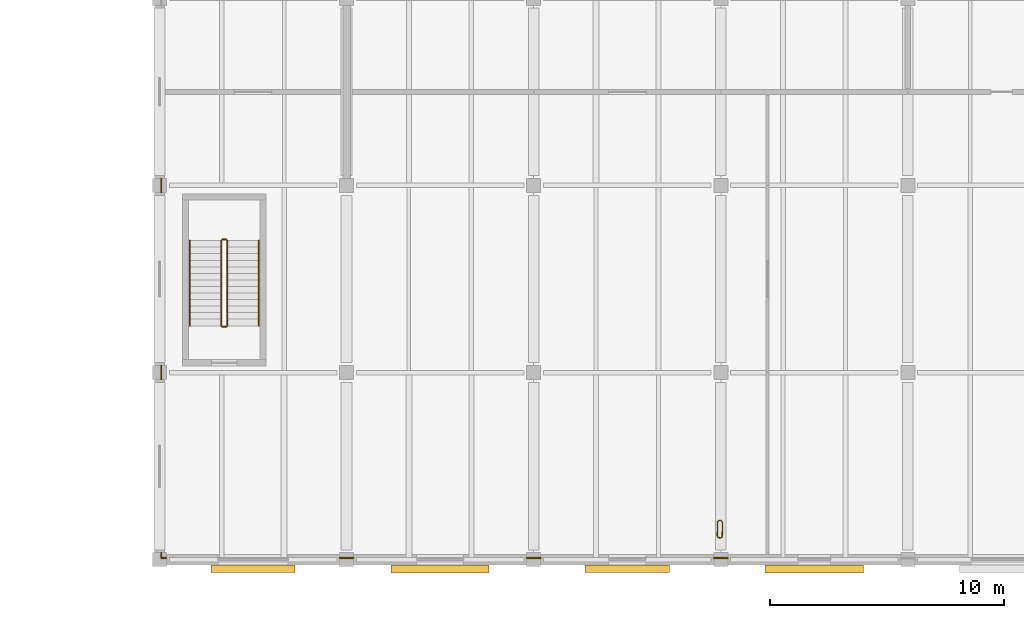
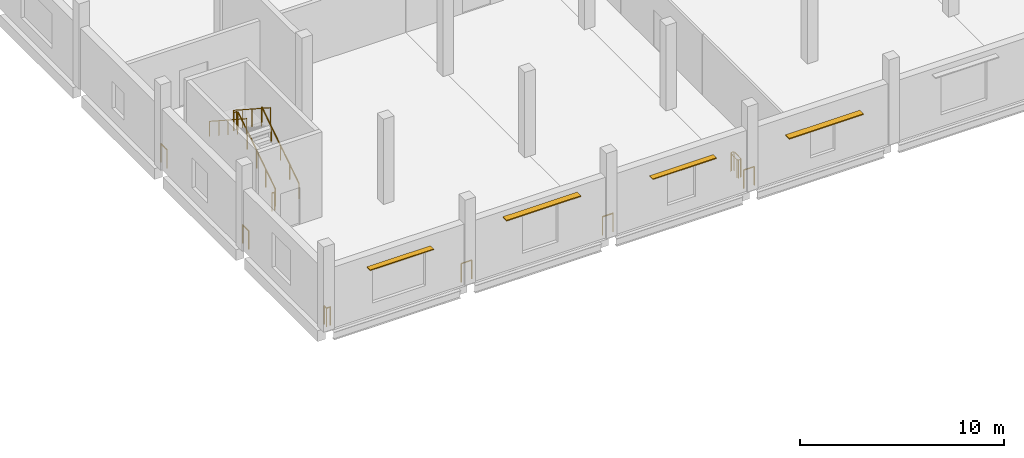
# One storey, part 57 of 61: 14 railings, 4 shading devices.
"""IFC4 building model written with IfcOpenShell, lengths in metres."""

from ifc_helpers import new_model, si_unit, direction, frame, origin, origin_2d, place, context, subcontext, project, spatial, rectangle, circle, extrude, material, type_object, element, save


model = new_model("IFC4")

# Units and contexts
model_context = context("Model", 3, precision=1e-05, world=origin(), true_north=direction((0.0, 1.0)))
body_context = subcontext(model_context, "Body", "Model", "MODEL_VIEW")
ifc_project = project(units=[si_unit("LENGTHUNIT", "METRE"), si_unit("AREAUNIT", "SQUARE_METRE"), si_unit("VOLUMEUNIT", "CUBIC_METRE"), si_unit("PLANEANGLEUNIT", "RADIAN"), si_unit("MASSUNIT", "GRAM", prefix="KILO")], contexts=[model_context])

# Site, building, storey
site_placement = place(None, origin())
site = spatial("IfcSite", under=ifc_project, at=site_placement, CompositionType="ELEMENT")
building_placement = place(site_placement, origin())
building = spatial("IfcBuilding", under=site, at=building_placement, Name="Pecanmere Concourse Central Library", CompositionType="ELEMENT")
storey_placement = place(building_placement, frame((0.0, 0.0, 5.39990234375)))
storey = spatial("IfcBuildingStorey", under=building, at=storey_placement, Name="L02", CompositionType="ELEMENT", Elevation=5.39990234375)

# Railings
ifc_material_1 = material(Name="Architectural anodized bronze")
railing_type_1 = type_object("IfcRailingType", Name="RAIL_ATRIUM_BAL", PredefinedType="BALUSTRADE", material=ifc_material_1)
railing_1_placement = place(storey_placement, frame((128.070068359375, 0.070068359375, 0.0)))
element("IfcRailing", 1, at=railing_1_placement, inside=storey, type_object=railing_type_1, Name="Deck Edge Protective Balustrade L02-018", PredefinedType="BALUSTRADE", context=body_context, shape_type="SweptSolid", body=[
    extrude(circle(Radius=0.02392578125, at=origin_2d()), frame((0.0, 0.0, 1.09619140625), z_axis=(0.0, 1.0, 0.0), x_axis=(-1.0, 0.0, 0.0)), (0.0, 0.0, 1.0), 0.224853515625),
    extrude(circle(Radius=0.02099609375, at=origin_2d()), origin(), (0.0, 0.0, 1.0), 1.072021484375),
    extrude(circle(Radius=0.02099609375, at=origin_2d()), frame((0.0, 0.224853515625, 0.0)), (0.0, 0.0, 1.0), 1.072021484375),
])
for number, where, name in (
    (2, (128.070068359375, 7.705078125, 0.0), "Deck Edge Protective Balustrade L02-019"),
    (3, (128.070068359375, 15.705078125, 0.0), "Deck Edge Protective Balustrade L02-020"),
):
    element("IfcRailing", number, at=place(storey_placement, frame(where)), inside=storey, type_object=railing_type_1, Name=name, PredefinedType="BALUSTRADE", context=body_context, shape_type="SweptSolid", body=[
        extrude(circle(Radius=0.02392578125, at=origin_2d()), frame((0.0, 0.0, 1.09619140625), z_axis=(0.0, 1.0, 0.0), x_axis=(-1.0, 0.0, 0.0)), (0.0, 0.0, 1.0), 0.58984375),
        extrude(circle(Radius=0.02099609375, at=origin_2d()), origin(), (0.0, 0.0, 1.0), 1.072021484375),
        extrude(circle(Radius=0.02099609375, at=origin_2d()), frame((0.0, 0.58984375, 0.0)), (0.0, 0.0, 1.0), 1.072021484375),
    ])
for number, where, name in (
    (4, (152.294921875, 0.070068359375, 0.0), "Deck Edge Protective Balustrade L02-035"),
    (5, (144.294921875, 0.070068359375, 0.0), "Deck Edge Protective Balustrade L02-036"),
    (6, (136.294921875, 0.070068359375, 0.0), "Deck Edge Protective Balustrade L02-037"),
):
    element("IfcRailing", number, at=place(storey_placement, frame(where)), inside=storey, type_object=railing_type_1, Name=name, PredefinedType="BALUSTRADE", context=body_context, shape_type="SweptSolid", body=[
        extrude(circle(Radius=0.02392578125, at=origin_2d()), frame((0.0, 0.0, 1.09619140625), z_axis=(-1.0, 0.0, 0.0), x_axis=(0.0, -1.0, 0.0)), (0.0, 0.0, 1.0), 0.58984375),
        extrude(circle(Radius=0.02099609375, at=origin_2d()), origin(), (0.0, 0.0, 1.0), 1.072021484375),
        extrude(circle(Radius=0.02099609375, at=origin_2d()), frame((-0.58984375, 0.0, 0.0)), (0.0, 0.0, 1.0), 1.072021484375),
    ])
railing_2_placement = place(storey_placement, frame((128.294921875, 0.070068359375, 0.0)))
element("IfcRailing", 7, at=railing_2_placement, inside=storey, type_object=railing_type_1, Name="Deck Edge Protective Balustrade L02-038", PredefinedType="BALUSTRADE", context=body_context, shape_type="SweptSolid", body=[
    extrude(circle(Radius=0.02392578125, at=origin_2d()), frame((0.0, 0.0, 1.09619140625), z_axis=(-1.0, 0.0, 0.0), x_axis=(0.0, -1.0, 0.0)), (0.0, 0.0, 1.0), 0.224853515625),
    extrude(circle(Radius=0.02099609375, at=origin_2d()), origin(), (0.0, 0.0, 1.0), 1.072021484375),
    extrude(circle(Radius=0.02099609375, at=origin_2d()), frame((-0.224853515625, 0.0, 0.0)), (0.0, 0.0, 1.0), 1.072021484375),
])
railing_3_placement = place(storey_placement, frame((151.996826171875, 0.930419921875, 0.0)))
element("IfcRailing", 8, at=railing_3_placement, inside=storey, type_object=railing_type_1, Name="Deck Edge Protective Balustrade L02-040", PredefinedType="BALUSTRADE", context=body_context, shape_type="SweptSolid", body=[
    extrude(circle(Radius=0.02392578125, at=origin_2d()), frame((0.0, 0.0, 1.09619140625), z_axis=(0.806311430369, 0.591491231767, 0.0), x_axis=(-0.591491231767, 0.806311430369, 0.0)), (0.0, 0.0, 1.0), 0.0830078125),
    extrude(circle(Radius=0.02392578125, at=origin_2d()), frame((0.06689453125, 0.049072265625, 1.09619140625), z_axis=(0.009489489668, 0.999954973779, 0.0), x_axis=(-0.999954973779, 0.009489489668, 0.0)), (0.0, 0.0, 1.0), 0.617431640625),
    extrude(circle(Radius=0.02392578125, at=origin_2d()), frame((0.07275390625, 0.66650390625, 1.09619140625), z_axis=(-0.591491231767, 0.806311430369, 0.0), x_axis=(-0.806311430369, -0.591491231767, 0.0)), (0.0, 0.0, 1.0), 0.0830078125),
    extrude(circle(Radius=0.02392578125, at=origin_2d()), frame((0.023681640625, 0.7333984375, 1.09619140625), z_axis=(-0.998195860289, 0.060041856258, 0.0), x_axis=(-0.060041856258, -0.998195860289, 0.0)), (0.0, 0.0, 1.0), 0.09765625),
    extrude(circle(Radius=0.02392578125, at=origin_2d()), frame((-0.07373046875, 0.7392578125, 1.09619140625), z_axis=(-0.806311430369, -0.591491231767, 0.0), x_axis=(0.591491231767, -0.806311430369, 0.0)), (0.0, 0.0, 1.0), 0.0830078125),
    extrude(circle(Radius=0.02392578125, at=origin_2d()), frame((-0.140625, 0.690185546875, 1.09619140625), z_axis=(-0.009489489668, -0.999954973779, 0.0), x_axis=(0.999954973779, -0.009489489668, 0.0)), (0.0, 0.0, 1.0), 0.617431640625),
    extrude(circle(Radius=0.02392578125, at=origin_2d()), frame((-0.146484375, 0.07275390625, 1.09619140625), z_axis=(0.591491231767, -0.806311430369, 0.0), x_axis=(0.806311430369, 0.591491231767, 0.0)), (0.0, 0.0, 1.0), 0.0830078125),
    extrude(circle(Radius=0.02392578125, at=origin_2d()), frame((-0.097412109375, 0.005859375, 1.09619140625), z_axis=(0.998195860289, -0.060041856258, 0.0), x_axis=(0.060041856258, 0.998195860289, 0.0)), (0.0, 0.0, 1.0), 0.09765625),
    extrude(circle(Radius=0.02099609375, at=origin_2d()), origin(), (0.0, 0.0, 1.0), 1.072021484375),
    extrude(circle(Radius=0.02099609375, at=origin_2d()), frame((0.06689453125, 0.049072265625, 0.0)), (0.0, 0.0, 1.0), 1.072021484375),
    extrude(circle(Radius=0.02099609375, at=origin_2d()), frame((0.07275390625, 0.66650390625, 0.0)), (0.0, 0.0, 1.0), 1.072021484375),
    extrude(circle(Radius=0.02099609375, at=origin_2d()), frame((0.023681640625, 0.7333984375, 0.0)), (0.0, 0.0, 1.0), 1.072021484375),
    extrude(circle(Radius=0.02099609375, at=origin_2d()), frame((-0.07373046875, 0.7392578125, 0.0)), (0.0, 0.0, 1.0), 1.072021484375),
    extrude(circle(Radius=0.02099609375, at=origin_2d()), frame((-0.140625, 0.690185546875, 0.0)), (0.0, 0.0, 1.0), 1.072021484375),
    extrude(circle(Radius=0.02099609375, at=origin_2d()), frame((-0.146484375, 0.07275390625, 0.0)), (0.0, 0.0, 1.0), 1.072021484375),
    extrude(circle(Radius=0.02099609375, at=origin_2d()), frame((-0.097412109375, 0.005859375, 0.0)), (0.0, 0.0, 1.0), 1.072021484375),
])
ifc_material_2 = material(Name="Painted architectural steel ASTM A36", Category="steel")
railing_type_2 = type_object("IfcRailingType", Name="RAIL_STAIR_GUARD", PredefinedType="GUARDRAIL", material=ifc_material_2)
railing_4_placement = place(storey_placement, frame((130.89990234375, 10.0, 0.18212890625)))
element("IfcRailing", 9, at=railing_4_placement, inside=storey, type_object=railing_type_2, Name="L02 ST-08 Guard 1", PredefinedType="GUARDRAIL", context=body_context, shape_type="SweptSolid", body=[
    extrude(circle(Radius=0.02392578125, at=origin_2d()), frame((0.0, 0.0, 1.076171875), z_axis=(0.0, 0.838234174257, 0.545310433706), x_axis=(-1.0, 0.0, 0.0)), (0.0, 0.0, 1.0), 4.34228515625),
    extrude(circle(Radius=0.02099609375, at=origin_2d()), origin(), (0.0, 0.0, 1.0), 1.052001953125),
    extrude(circle(Radius=0.02099609375, at=origin_2d()), frame((0.0, 0.909912109375, 0.592041015625)), (0.0, 0.0, 1.0), 1.052001953125),
    extrude(circle(Radius=0.02099609375, at=origin_2d()), frame((0.0, 1.81982421875, 1.18408203125)), (0.0, 0.0, 1.0), 1.052001953125),
    extrude(circle(Radius=0.02099609375, at=origin_2d()), frame((0.0, 2.72998046875, 1.77587890625)), (0.0, 0.0, 1.0), 1.052001953125),
    extrude(circle(Radius=0.02099609375, at=origin_2d()), frame((0.0, 3.639892578125, 2.367919921875)), (0.0, 0.0, 1.0), 1.052001953125),
])
railing_5_placement = place(storey_placement, frame((130.85009765625, 13.68994140625, 2.550048828125)))
element("IfcRailing", 10, at=railing_5_placement, inside=storey, type_object=railing_type_2, Name="L02 ST-08 Guard 2", PredefinedType="GUARDRAIL", context=body_context, shape_type="SweptSolid", body=[
    extrude(circle(Radius=0.02392578125, at=origin_2d()), frame((0.0, 0.0, 1.076171875), z_axis=(-1.0, 0.0, 0.0), x_axis=(0.0, -1.0, 0.0)), (0.0, 0.0, 1.0), 0.16015625),
    extrude(circle(Radius=0.02099609375, at=origin_2d()), origin(), (0.0, 0.0, 1.0), 1.052001953125),
    extrude(circle(Radius=0.02099609375, at=origin_2d()), frame((-0.16015625, 0.0, 0.0)), (0.0, 0.0, 1.0), 1.052001953125),
])
railing_6_placement = place(storey_placement, frame((130.639892578125, 13.639892578125, 2.732177734375)))
element("IfcRailing", 11, at=railing_6_placement, inside=storey, type_object=railing_type_2, Name="L02 ST-08 Guard 3", PredefinedType="GUARDRAIL", context=body_context, shape_type="SweptSolid", body=[
    extrude(circle(Radius=0.02392578125, at=origin_2d()), frame((0.0, 0.0, 1.076171875), z_axis=(0.0, -0.838234174257, 0.545310433706), x_axis=(1.0, 0.0, 0.0)), (0.0, 0.0, 1.0), 4.34228515625),
    extrude(circle(Radius=0.02099609375, at=origin_2d()), origin(), (0.0, 0.0, 1.0), 1.052001953125),
    extrude(circle(Radius=0.02099609375, at=origin_2d()), frame((0.0, -0.909912109375, 0.592041015625)), (0.0, 0.0, 1.0), 1.052001953125),
    extrude(circle(Radius=0.02099609375, at=origin_2d()), frame((0.0, -1.81982421875, 1.18408203125)), (0.0, 0.0, 1.0), 1.052001953125),
    extrude(circle(Radius=0.02099609375, at=origin_2d()), frame((0.0, -2.72998046875, 1.77587890625)), (0.0, 0.0, 1.0), 1.052001953125),
    extrude(circle(Radius=0.02099609375, at=origin_2d()), frame((0.0, -3.639892578125, 2.367919921875)), (0.0, 0.0, 1.0), 1.052001953125),
])
railing_7_placement = place(storey_placement, frame((130.85009765625, 9.949951171875, 0.0)))
element("IfcRailing", 12, at=railing_7_placement, inside=storey, type_object=railing_type_2, Name="L02 ST-08 Guard 4", PredefinedType="GUARDRAIL", context=body_context, shape_type="SweptSolid", body=[
    extrude(circle(Radius=0.02392578125, at=origin_2d()), frame((0.0, 0.0, 1.076171875), z_axis=(-1.0, 0.0, 0.0), x_axis=(0.0, -1.0, 0.0)), (0.0, 0.0, 1.0), 0.16015625),
    extrude(circle(Radius=0.02099609375, at=origin_2d()), origin(), (0.0, 0.0, 1.0), 1.052001953125),
    extrude(circle(Radius=0.02099609375, at=origin_2d()), frame((-0.16015625, 0.0, 0.0)), (0.0, 0.0, 1.0), 1.052001953125),
])
ifc_material_3 = material(Name="Brushed stainless steel Grade 316", Category="steel")
railing_type_3 = type_object("IfcRailingType", Name="RAIL_STAIR_HR", PredefinedType="HANDRAIL", material=ifc_material_3)
railing_8_placement = place(storey_placement, frame((132.25, 10.0, 0.18212890625)))
element("IfcRailing", 13, at=railing_8_placement, inside=storey, type_object=railing_type_3, Name="L02 ST-08 Handrail 1", PredefinedType="HANDRAIL", context=body_context, shape_type="SweptSolid", body=[
    extrude(circle(Radius=0.02392578125, at=origin_2d()), frame((0.0, 0.0, 0.89111328125), z_axis=(0.0, 0.838234174257, 0.545310433706), x_axis=(-1.0, 0.0, 0.0)), (0.0, 0.0, 1.0), 4.34228515625),
    extrude(circle(Radius=0.02099609375, at=origin_2d()), origin(), (0.0, 0.0, 1.0), 0.866943359375),
    extrude(circle(Radius=0.02099609375, at=origin_2d()), frame((0.0, 0.909912109375, 0.592041015625)), (0.0, 0.0, 1.0), 0.866943359375),
    extrude(circle(Radius=0.02099609375, at=origin_2d()), frame((0.0, 1.81982421875, 1.18408203125)), (0.0, 0.0, 1.0), 0.866943359375),
    extrude(circle(Radius=0.02099609375, at=origin_2d()), frame((0.0, 2.72998046875, 1.77587890625)), (0.0, 0.0, 1.0), 0.866943359375),
    extrude(circle(Radius=0.02099609375, at=origin_2d()), frame((0.0, 3.639892578125, 2.367919921875)), (0.0, 0.0, 1.0), 0.866943359375),
])
railing_9_placement = place(storey_placement, frame((129.2900390625, 13.639892578125, 2.732177734375)))
element("IfcRailing", 14, at=railing_9_placement, inside=storey, type_object=railing_type_3, Name="L02 ST-08 Handrail 2", PredefinedType="HANDRAIL", context=body_context, shape_type="SweptSolid", body=[
    extrude(circle(Radius=0.02392578125, at=origin_2d()), frame((0.0, 0.0, 0.89111328125), z_axis=(0.0, -0.838234174257, 0.545310433706), x_axis=(1.0, 0.0, 0.0)), (0.0, 0.0, 1.0), 4.34228515625),
    extrude(circle(Radius=0.02099609375, at=origin_2d()), origin(), (0.0, 0.0, 1.0), 0.866943359375),
    extrude(circle(Radius=0.02099609375, at=origin_2d()), frame((0.0, -0.909912109375, 0.592041015625)), (0.0, 0.0, 1.0), 0.866943359375),
    extrude(circle(Radius=0.02099609375, at=origin_2d()), frame((0.0, -1.81982421875, 1.18408203125)), (0.0, 0.0, 1.0), 0.866943359375),
    extrude(circle(Radius=0.02099609375, at=origin_2d()), frame((0.0, -2.72998046875, 1.77587890625)), (0.0, 0.0, 1.0), 0.866943359375),
    extrude(circle(Radius=0.02099609375, at=origin_2d()), frame((0.0, -3.639892578125, 2.367919921875)), (0.0, 0.0, 1.0), 0.866943359375),
])

# Shading devices
ifc_material_4 = material(Name="Architectural anodized bronze")
shading_device_type_1 = type_object("IfcShadingDeviceType", Name="SHD_BRISE_1", PredefinedType="AWNING", material=ifc_material_4)
for number, where, z_axis, x_axis, name in (
    (15, (140.0, -0.39990234375, 3.25), (0.0, 0.0, 1.0), (1.0, 0.0, 0.0), "Bronze Solar Brise-Soleil L02-022"),
    (16, (156.0, -0.39990234375, 2.550048828125), (0.0, 0.0, 1.0), (1.0, 0.0, 0.0), "Bronze Solar Brise-Soleil L02-024"),
):
    element("IfcShadingDevice", number, at=place(storey_placement, frame(where, z_axis=z_axis, x_axis=x_axis)), inside=storey, type_object=shading_device_type_1, Name=name, PredefinedType="AWNING", context=body_context, shape_type="SweptSolid", body=[
        extrude(rectangle(XDim=4.199951171875, YDim=0.360107421875, at=origin_2d()), origin(), (0.0, 0.0, 1.0), 0.06005859375),
    ])
ifc_material_5 = material(Name="Architectural anodized bronze")
shading_device_type_2 = type_object("IfcShadingDeviceType", Name="SHD_BRISE_2", PredefinedType="AWNING", material=ifc_material_5)
for number, where, z_axis, x_axis, name in (
    (17, (132.0, -0.3798828125, 2.95263671875), (0.0, 0.0, 1.0), (1.0, 0.0, 0.0), "Bronze Solar Brise-Soleil L02-021"),
    (18, (148.0, -0.3798828125, 2.802734375), (0.0, 0.0, 1.0), (1.0, 0.0, 0.0), "Bronze Solar Brise-Soleil L02-023"),
):
    element("IfcShadingDevice", number, at=place(storey_placement, frame(where, z_axis=z_axis, x_axis=x_axis)), inside=storey, type_object=shading_device_type_2, Name=name, PredefinedType="AWNING", context=body_context, shape_type="SweptSolid", body=[
        extrude(rectangle(XDim=3.60009765625, YDim=0.320068359375, at=origin_2d()), origin(), (0.0, 0.0, 1.0), 0.054931640625),
    ])

save(model, "model.ifc")
